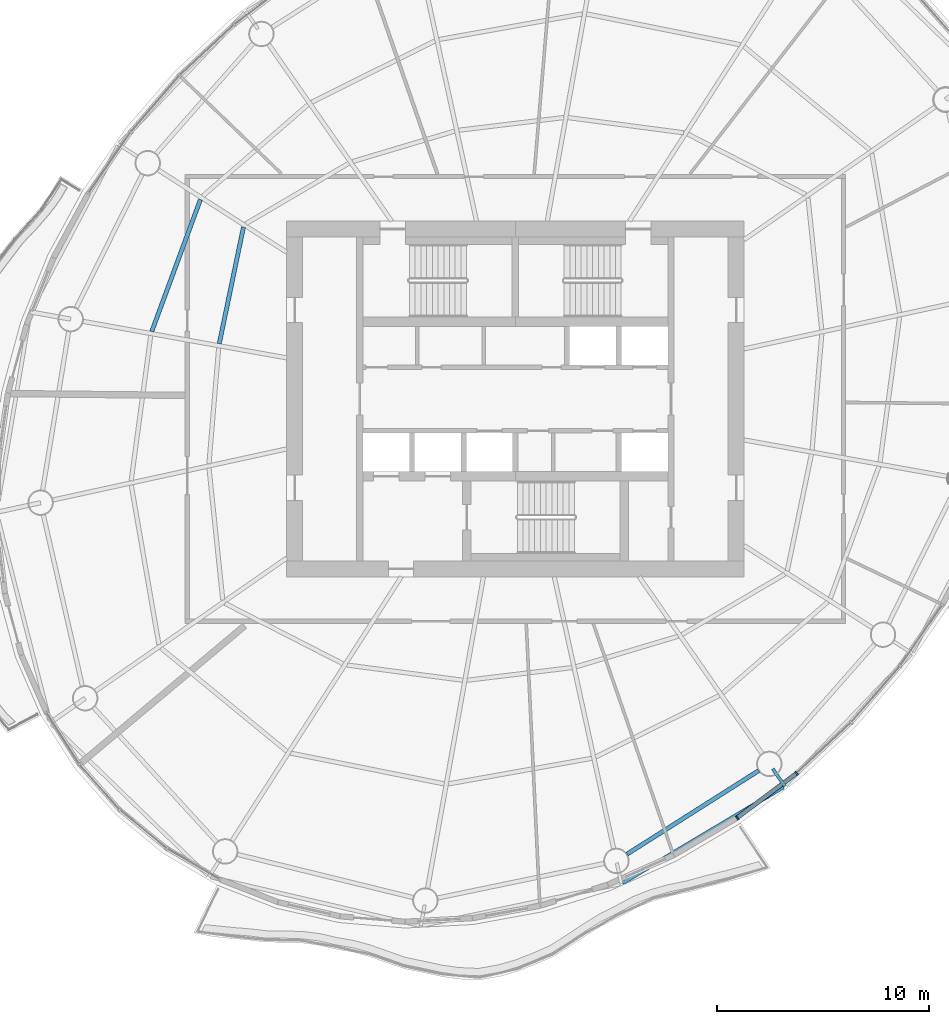
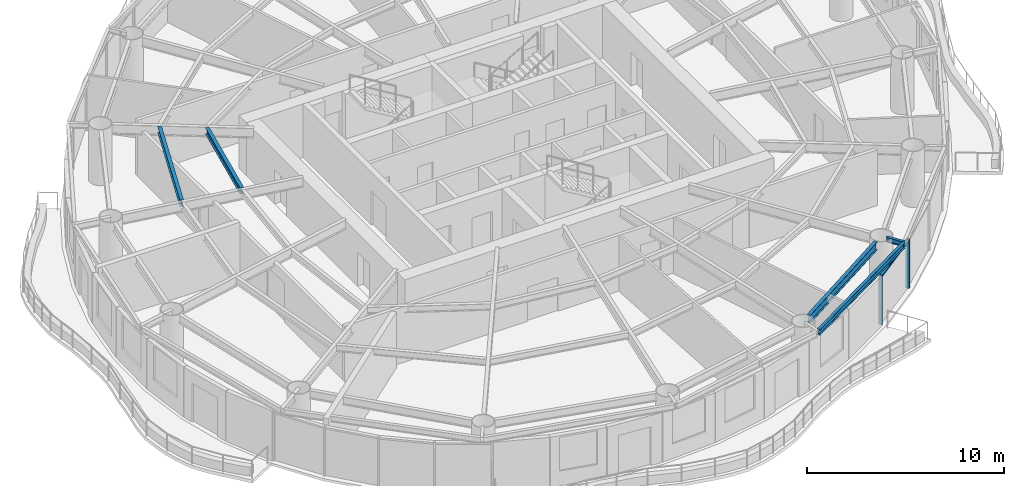
# One storey, part 3 of 14: 5 beams, 3 members, 2 elements without a shape of their own.
"""IFC4 building model written with IfcOpenShell, lengths in metres."""

from ifc_helpers import new_model, si_unit, direction, frame, origin, origin_2d, place, context, subcontext, project, spatial, rectangle, i_section, extrude, material, material_profile, profile_set, type_object, element, aggregate, save


model = new_model("IFC4")

# Units and contexts
model_context = context("Model", 3, precision=1e-05, world=origin(), true_north=direction((0.0, 1.0)))
body_context = subcontext(model_context, "Body", "Model", "MODEL_VIEW")
ifc_project = project(units=[si_unit("LENGTHUNIT", "METRE"), si_unit("AREAUNIT", "SQUARE_METRE"), si_unit("VOLUMEUNIT", "CUBIC_METRE"), si_unit("PLANEANGLEUNIT", "RADIAN"), si_unit("MASSUNIT", "GRAM", prefix="KILO")], contexts=[model_context])

# Site, building, storey
site_placement = place(None, origin())
site = spatial("IfcSite", under=ifc_project, at=site_placement, CompositionType="ELEMENT")
building_placement = place(site_placement, origin())
building = spatial("IfcBuilding", under=site, at=building_placement, Name="Vermilion Reach Broadcast Tower", CompositionType="ELEMENT")
storey_placement = place(building_placement, frame((0.0, 0.0, 217.300048828125)))
storey = spatial("IfcBuildingStorey", under=building, at=storey_placement, Name="L53", CompositionType="ELEMENT", Elevation=217.300048828125)

# Beams
ifc_material_1 = material(Name="Steel S355J2", Category="steel")
ifc_material_profile_1 = material_profile(ifc_material_1, i_section(OverallWidth=0.175048828125, OverallDepth=0.35009765625, WebThickness=0.007080078125, FlangeThickness=0.010986328125, at=origin_2d()), Name="S355J2 HN 350x175x7x11")
ifc_profile_set_1 = profile_set([ifc_material_profile_1], Name="Steel S355J2")
beam_type_1 = type_object("IfcBeamType", Name="EB4 HN 350x175x7x11", PredefinedType="BEAM", material=ifc_profile_set_1)
beam_1_placement = place(storey_placement, frame((-0.92724609375, -22.855712890625, 3.27490234375), z_axis=(0.858838056744, 0.51224719842, 0.0), x_axis=(-0.51224719842, 0.858838056744, 0.0)))
element("IfcBeam", 1, at=beam_1_placement, inside=storey, type_object=beam_type_1, Name="Edge beam EB4-11", PredefinedType="BEAM", context=body_context, shape_type="SweptSolid", body=[
    extrude(i_section(OverallWidth=0.175048828125, OverallDepth=0.35009765625, WebThickness=0.007080078125, FlangeThickness=0.010986328125, at=origin_2d()), origin(), (0.0, 0.0, 1.0), 8.836669921875),
])
ifc_material_2 = material(Name="Steel S355J2", Category="steel")
ifc_material_profile_2 = material_profile(ifc_material_2, i_section(OverallWidth=0.14990234375, OverallDepth=0.300048828125, WebThickness=0.006591796875, FlangeThickness=0.009033203125, at=origin_2d()), Name="S355J2 HN 300x150x6.5x9")
ifc_profile_set_2 = profile_set([ifc_material_profile_2], Name="Steel S355J2")
beam_type_2 = type_object("IfcBeamType", Name="GS4 HN 300x150x6.5x9", PredefinedType="BEAM", material=ifc_profile_set_2)
beam_2_placement = place(storey_placement, frame((6.155517578125, -17.4697265625, 3.300048828125), z_axis=(0.570985808908, -0.82095992961, 0.0), x_axis=(0.82095992961, 0.570985808908, 0.0)))
element("IfcBeam", 2, at=beam_2_placement, inside=storey, type_object=beam_type_2, Name="Cantilever stub GS4-12", PredefinedType="BEAM", context=body_context, shape_type="SweptSolid", body=[
    extrude(i_section(OverallWidth=0.14990234375, OverallDepth=0.300048828125, WebThickness=0.006591796875, FlangeThickness=0.009033203125, at=origin_2d()), origin(), (0.0, 0.0, 1.0), 1.0),
])
ifc_material_3 = material(Name="Steel S355J2", Category="steel")
ifc_material_profile_3 = material_profile(ifc_material_3, i_section(OverallWidth=0.199951171875, OverallDepth=0.5, WebThickness=0.010009765625, FlangeThickness=0.01611328125, at=origin_2d()), Name="S355J2 HN 500x200x10x16")
ifc_profile_set_3 = profile_set([ifc_material_profile_3], Name="Steel S355J2")
beam_type_3 = type_object("IfcBeamType", Name="RB4 HN 500x200x10x16", PredefinedType="BEAM", material=ifc_profile_set_3)
beam_3_placement = place(storey_placement, frame((-0.72412109375, -21.497314453125, 3.199951171875), z_axis=(0.84446426774, 0.535611893549, 0.0), x_axis=(-0.535611893549, 0.84446426774, 0.0)))
element("IfcBeam", 3, at=beam_3_placement, inside=storey, type_object=beam_type_3, Name="Ring beam RB4-11", PredefinedType="BEAM", context=body_context, shape_type="SweptSolid", body=[
    extrude(i_section(OverallWidth=0.199951171875, OverallDepth=0.5, WebThickness=0.010009765625, FlangeThickness=0.01611328125, at=origin_2d()), origin(), (0.0, 0.0, 1.0), 7.3544921875),
])
ifc_material_4 = material(Name="Steel S355J2", Category="steel")
ifc_material_profile_4 = material_profile(ifc_material_4, i_section(OverallWidth=0.199951171875, OverallDepth=0.39990234375, WebThickness=0.008056640625, FlangeThickness=0.012939453125, at=origin_2d()), Name="S355J2 HN 400x200x8x13")
ifc_profile_set_4 = profile_set([ifc_material_profile_4], Name="Steel S355J2")
beam_type_4 = type_object("IfcBeamType", Name="SB4 HN 400x200x8x13", PredefinedType="BEAM", material=ifc_profile_set_4)
beam_4_placement = place(storey_placement, frame((-18.841064453125, 8.115478515625, 3.25), z_axis=(-0.20320860258, -0.979135467562, 0.0), x_axis=(0.979135467562, -0.20320860258, 0.0)))
element("IfcBeam", 4, at=beam_4_placement, inside=storey, type_object=beam_type_4, Name="Secondary beam SB4-05-1", PredefinedType="BEAM", context=body_context, shape_type="SweptSolid", body=[
    extrude(i_section(OverallWidth=0.199951171875, OverallDepth=0.39990234375, WebThickness=0.008056640625, FlangeThickness=0.012939453125, at=origin_2d()), origin(), (0.0, 0.0, 1.0), 5.622802734375),
])
beam_5_placement = place(storey_placement, frame((-20.8740234375, 9.419189453125, 3.25), z_axis=(-0.345833008621, -0.938296078084, 0.0), x_axis=(0.938296078084, -0.345833008621, 0.0)))
element("IfcBeam", 5, at=beam_5_placement, inside=storey, type_object=beam_type_4, Name="Secondary beam SB4-05-2", PredefinedType="BEAM", context=body_context, shape_type="SweptSolid", body=[
    extrude(i_section(OverallWidth=0.199951171875, OverallDepth=0.39990234375, WebThickness=0.008056640625, FlangeThickness=0.012939453125, at=origin_2d()), origin(), (0.0, 0.0, 1.0), 6.647216796875),
])

# Curtain wall, member
ifc_material_5 = material(Name="Low-e laminated clear glass in aluminium frame", Category="aluminium")
curtain_wall_type = type_object("IfcCurtainWallType", Name="Slot curtain wall", PredefinedType="NOTDEFINED", material=ifc_material_5)
placement = place(storey_placement, origin())
curtain_wall_1 = element("IfcCurtainWall", 6, at=placement, inside=storey, type_object=curtain_wall_type, Name="Slot curtain wall L53 34", PredefinedType="NOTDEFINED")
ifc_material_6 = material(Name="Anodised aluminium", Category="aluminium")
ifc_material_profile_5 = material_profile(ifc_material_6, rectangle(XDim=0.199951171875, YDim=0.080078125, at=origin_2d()), Name="Slot mullion 80 x 200")
ifc_profile_set_5 = profile_set([ifc_material_profile_5], Name="Anodised aluminium")
member_type_1 = type_object("IfcMemberType", Name="Slot mullion 80 x 200", PredefinedType="MULLION", material=ifc_profile_set_5)
member_1_placement = place(storey_placement, frame((4.472900390625, -19.782958984375, 0.0), z_axis=(0.0, 0.0, 1.0), x_axis=(-0.554539596666, 0.832157338326, 0.0)))
member_1 = element("IfcMember", 7, at=member_1_placement, type_object=member_type_1, Name="Slot mullion L53 34", PredefinedType="MULLION", context=body_context, shape_type="SweptSolid", body=[
    extrude(rectangle(XDim=0.199951171875, YDim=0.080078125, at=origin_2d()), origin(), (0.0, 0.0, 1.0), 3.050048828125),
])

curtain_wall_2 = element("IfcCurtainWall", 8, at=placement, inside=storey, type_object=curtain_wall_type, Name="Slot curtain wall L53 35", PredefinedType="NOTDEFINED")
member_2_placement = place(storey_placement, frame((7.281005859375, -17.680419921875, 0.0), z_axis=(0.0, 0.0, 1.0), x_axis=(-0.641638000614, 0.767007611545, 0.0)))
member_2 = element("IfcMember", 9, at=member_2_placement, type_object=member_type_1, Name="Slot mullion L53 35", PredefinedType="MULLION", context=body_context, shape_type="SweptSolid", body=[
    extrude(rectangle(XDim=0.199951171875, YDim=0.080078125, at=origin_2d()), origin(), (0.0, 0.0, 1.0), 3.050048828125),
])
aggregate(curtain_wall_2, [member_2])

# Member
ifc_material_7 = material(Name="Anodised aluminium", Category="aluminium")
ifc_material_profile_6 = material_profile(ifc_material_7, rectangle(XDim=0.199951171875, YDim=0.10009765625, at=origin_2d()), Name="Slot transom 200 x 100")
ifc_profile_set_6 = profile_set([ifc_material_profile_6], Name="Anodised aluminium")
member_type_2 = type_object("IfcMemberType", Name="Slot transom 200 x 100", PredefinedType="USERDEFINED", material=ifc_profile_set_6)
member_3_placement = place(storey_placement, frame((4.5048828125, -19.759033203125, 3.0), z_axis=(0.800512491639, 0.599316069141, 0.0), x_axis=(-0.599316069141, 0.800512491639, 0.0)))
member_3 = element("IfcMember", 10, at=member_3_placement, type_object=member_type_2, Name="Slot transom L53 34.1", ObjectType="TRANSOM", PredefinedType="USERDEFINED", context=body_context, shape_type="SweptSolid", body=[
    extrude(rectangle(XDim=0.199951171875, YDim=0.10009765625, at=origin_2d()), origin(), (0.0, 0.0, 1.0), 3.427978515625),
])

aggregate(curtain_wall_1, [member_1, member_3])

save(model, "model.ifc")
